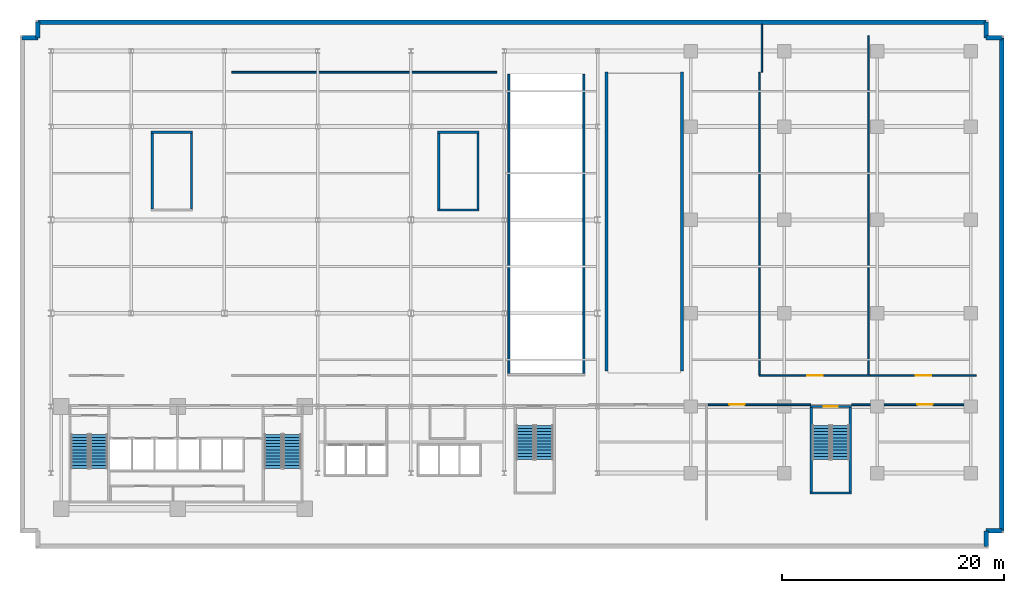
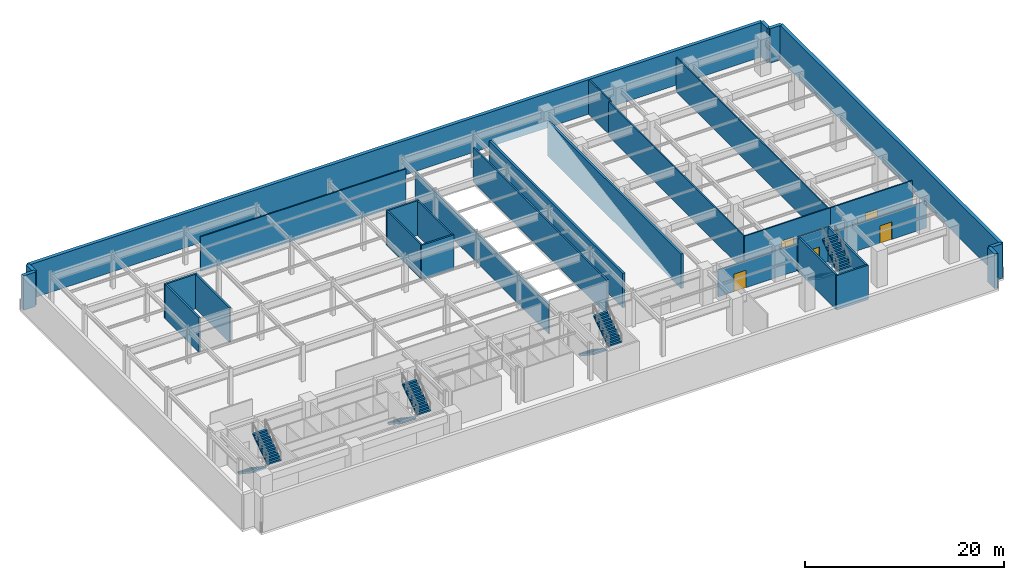
# One storey, part 9 of 14: 31 walls, 8 stair flights, 5 doors, 5 openings, 4 elements without a shape of their own.
"""IFC4 building model written with IfcOpenShell, lengths in metres."""

from ifc_helpers import new_model, si_unit, direction, frame, frame_2d, origin, place, context, subcontext, project, spatial, polyline, rectangle, outline, extrude, material, layer, layer_set, type_object, element, fill, aggregate, save


model = new_model("IFC4")

# Units and contexts
model_context = context("Model", 3, precision=1e-05, world=origin(), true_north=direction((0.0, 1.0)))
body_context = subcontext(model_context, "Body", "Model", "MODEL_VIEW")
ifc_project = project(units=[si_unit("LENGTHUNIT", "METRE"), si_unit("AREAUNIT", "SQUARE_METRE"), si_unit("VOLUMEUNIT", "CUBIC_METRE"), si_unit("PLANEANGLEUNIT", "RADIAN"), si_unit("MASSUNIT", "GRAM", prefix="KILO")], contexts=[model_context])

# Site, building, storey
site_placement = place(None, origin())
site = spatial("IfcSite", under=ifc_project, at=site_placement, CompositionType="ELEMENT")
building_placement = place(site_placement, origin())
building = spatial("IfcBuilding", under=site, at=building_placement, Name="Varnakote Quay Hospital", CompositionType="ELEMENT")
storey_placement = place(building_placement, frame((0.0, 0.0, -4.5)))
storey = spatial("IfcBuildingStorey", under=building, at=storey_placement, Name="B01", CompositionType="ELEMENT", Elevation=-4.5)

# Walls
ifc_material_1 = material(Name="Concrete N40 (f'c 40 MPa)", Category="concrete")
ifc_layer_1 = layer(ifc_material_1, 0.39990234375)
ifc_layer_set_1 = layer_set([ifc_layer_1], Name="Concrete N40 (f'c 40 MPa)")
wall_type_1 = type_object("IfcWallType", Name="WL-BSMT-RET-400", PredefinedType="STANDARD", material=ifc_layer_set_1)
for number, where, z_axis, x_axis, name in (
    (1, (85.39990234375, -0.60009765625, 0.0), (0.0, 0.0, 1.0), (0.0, 1.0, 0.0), "B01 Tanked Basement Retaining Wall"),
    (2, (85.39990234375, 0.800048828125, 0.0), (0.0, 0.0, 1.0), (1.0, 0.0, 0.0), "B01 Tanked Basement Retaining Wall"),
):
    element("IfcWall", number, at=place(storey_placement, frame(where, z_axis=z_axis, x_axis=x_axis)), inside=storey, type_object=wall_type_1, Name=name, PredefinedType="STANDARD", context=body_context, shape_type="SweptSolid", body=[
        extrude(rectangle(XDim=1.400146484375, YDim=0.39990234375, at=frame_2d((0.7001953125, 0.0))), origin(), (0.0, 0.0, 1.0), 4.25),
    ])
wall_1_placement = place(storey_placement, frame((86.800048828125, 0.800048828125, 0.0), z_axis=(0.0, 0.0, 1.0), x_axis=(0.0, 1.0, 0.0)))
element("IfcWall", 3, at=wall_1_placement, inside=storey, type_object=wall_type_1, Name="B01 Tanked Basement Retaining Wall", PredefinedType="STANDARD", context=body_context, shape_type="SweptSolid", body=[
    extrude(rectangle(XDim=44.39990234375, YDim=0.39990234375, at=frame_2d((22.199951171875, 0.0))), origin(), (0.0, 0.0, 1.0), 4.25),
])
for number, where, z_axis, x_axis, name in (
    (4, (86.800048828125, 45.199951171875, 0.0), (0.0, 0.0, 1.0), (-1.0, 0.0, 0.0), "B01 Tanked Basement Retaining Wall"),
    (5, (85.39990234375, 45.199951171875, 0.0), (0.0, 0.0, 1.0), (0.0, 1.0, 0.0), "B01 Tanked Basement Retaining Wall"),
):
    element("IfcWall", number, at=place(storey_placement, frame(where, z_axis=z_axis, x_axis=x_axis)), inside=storey, type_object=wall_type_1, Name=name, PredefinedType="STANDARD", context=body_context, shape_type="SweptSolid", body=[
        extrude(rectangle(XDim=1.400146484375, YDim=0.39990234375, at=frame_2d((0.7001953125, 0.0))), origin(), (0.0, 0.0, 1.0), 4.25),
    ])
wall_2_placement = place(storey_placement, frame((85.39990234375, 46.60009765625, 0.0), z_axis=(0.0, 0.0, 1.0), x_axis=(-1.0, 0.0, 0.0)))
element("IfcWall", 6, at=wall_2_placement, inside=storey, type_object=wall_type_1, Name="B01 Tanked Basement Retaining Wall", PredefinedType="STANDARD", context=body_context, shape_type="SweptSolid", body=[
    extrude(rectangle(XDim=85.39990234375, YDim=0.39990234375, at=frame_2d((42.699951171875, 0.0))), origin(), (0.0, 0.0, 1.0), 4.25),
])
wall_3_placement = place(storey_placement, frame((0.0, 46.60009765625, 0.0), z_axis=(0.0, 0.0, 1.0), x_axis=(0.0, -1.0, 0.0)))
element("IfcWall", 7, at=wall_3_placement, inside=storey, type_object=wall_type_1, Name="B01 Tanked Basement Retaining Wall", PredefinedType="STANDARD", context=body_context, shape_type="SweptSolid", body=[
    extrude(rectangle(XDim=1.400146484375, YDim=0.39990234375, at=frame_2d((0.7001953125, 0.0))), origin(), (0.0, 0.0, 1.0), 4.25),
])
wall_4_placement = place(storey_placement, frame((0.0, 45.199951171875, 0.0), z_axis=(0.0, 0.0, 1.0), x_axis=(-1.0, 0.0, 0.0)))
element("IfcWall", 8, at=wall_4_placement, inside=storey, type_object=wall_type_1, Name="B01 Tanked Basement Retaining Wall", PredefinedType="STANDARD", context=body_context, shape_type="SweptSolid", body=[
    extrude(rectangle(XDim=1.39990234375, YDim=0.39990234375, at=frame_2d((0.699951171875, 0.0))), origin(), (0.0, 0.0, 1.0), 4.25),
])
ifc_material_2 = material(Name="Fire-rated acoustic gypsum stud wall", Category="gypsum")
ifc_layer_2 = layer(ifc_material_2, 0.179931640625)
ifc_layer_set_2 = layer_set([ifc_layer_2], Name="Fire-rated acoustic gypsum stud wall")
wall_type_2 = type_object("IfcWallType", Name="WL-COMP-180", PredefinedType="PARTITIONING", material=ifc_layer_set_2)
wall_5_placement = place(storey_placement, frame((42.419921875, 14.969970703125, 0.0), z_axis=(0.0, 0.0, 1.0), x_axis=(0.0, 1.0, 0.0)))
element("IfcWall", 9, at=wall_5_placement, inside=storey, type_object=wall_type_2, Name="B01 Vehicle Ramp R1 Opening West Wall", PredefinedType="PARTITIONING", context=body_context, shape_type="SweptSolid", body=[
    extrude(rectangle(XDim=26.929931640625, YDim=0.179931640625, at=frame_2d((13.46484375, 0.0))), origin(), (0.0, 0.0, 1.0), 3.623046875),
])
wall_6_placement = place(storey_placement, frame((49.179931640625, 14.969970703125, 0.0), z_axis=(0.0, 0.0, 1.0), x_axis=(0.0, 1.0, 0.0)))
element("IfcWall", 10, at=wall_6_placement, inside=storey, type_object=wall_type_2, Name="B01 Vehicle Ramp R1 Opening East Wall", PredefinedType="PARTITIONING", context=body_context, shape_type="SweptSolid", body=[
    extrude(rectangle(XDim=26.929931640625, YDim=0.179931640625, at=frame_2d((13.46484375, 0.0))), origin(), (0.0, 0.0, 1.0), 4.25),
])
ifc_material_3 = material(Name="Concrete N50 (f'c 50 MPa)", Category="concrete")
ifc_layer_3 = layer(ifc_material_3, 0.199951171875)
ifc_layer_set_3 = layer_set([ifc_layer_3], Name="Concrete N50 (f'c 50 MPa)")
wall_type_3 = type_object("IfcWallType", Name="WL-SHAFT-N50-200", PredefinedType="SHEAR", material=ifc_layer_set_3)
wall_7_placement = place(storey_placement, frame((69.550048828125, 4.199951171875, 0.0), z_axis=(0.0, 0.0, 1.0), x_axis=(1.0, 0.0, 0.0)))
element("IfcWall", 11, at=wall_7_placement, inside=storey, type_object=wall_type_3, Name="B01 Stair ST6 South Shaft Wall", PredefinedType="SHEAR", context=body_context, shape_type="SweptSolid", body=[
    extrude(rectangle(XDim=3.699951171875, YDim=0.199951171875, at=frame_2d((1.85009765625, 0.0))), origin(), (0.0, 0.0, 1.0), 4.25),
])
for number, where, z_axis, x_axis, name in (
    (12, (69.64990234375, 4.300048828125, 0.0), (0.0, 0.0, 1.0), (0.0, 1.0, 0.0), "B01 Stair ST6 West Shaft Wall"),
    (13, (73.14990234375, 4.300048828125, 0.0), (0.0, 0.0, 1.0), (0.0, 1.0, 0.0), "B01 Stair ST6 East Shaft Wall"),
):
    element("IfcWall", number, at=place(storey_placement, frame(where, z_axis=z_axis, x_axis=x_axis)), inside=storey, type_object=wall_type_3, Name=name, PredefinedType="SHEAR", context=body_context, shape_type="SweptSolid", body=[
        extrude(rectangle(XDim=7.599853515625, YDim=0.199951171875, at=frame_2d((3.7998046875, 0.0))), origin(), (0.0, 0.0, 1.0), 4.25),
    ])

# Wall, opening, door
wall_8_placement = place(storey_placement, frame((69.550048828125, 12.0, 0.0), z_axis=(0.0, 0.0, 1.0), x_axis=(1.0, 0.0, 0.0)))
wall_8 = element("IfcWall", 14, at=wall_8_placement, inside=storey, type_object=wall_type_3, Name="B01 Stair ST6 Exit Wall", PredefinedType="SHEAR", context=body_context, shape_type="SweptSolid", body=[
    extrude(rectangle(XDim=3.699951171875, YDim=0.199951171875, at=frame_2d((1.85009765625, 0.0))), origin(), (0.0, 0.0, 1.0), 4.25),
])
opening_1_placement = place(wall_8_placement, frame((1.199951171875, 0.0, 0.0)))
opening_1 = element("IfcOpeningElement", 15, at=opening_1_placement, cuts=wall_8, Name="Opening D-ST6-B01", PredefinedType="OPENING", context=body_context, shape_type="SweptSolid", body=[
    extrude(rectangle(XDim=1.300048828125, YDim=2.14990234375, at=frame_2d((0.64990234375, 1.074951171875))), frame((0.0, 0.10986328125, 0.0), z_axis=(0.0, -1.0, 0.0), x_axis=(1.0, 0.0, 0.0)), (0.0, 0.0, 1.0), 0.219970703125),
])
ifc_material_4 = material(Name="Fire-rated ceramic-glazed timber exit door", Category="wood")
door_type_1 = type_object("IfcDoorType", Name="DR-STAIR-FD60S-1300x2150", OperationType="NOTDEFINED", PredefinedType="DOOR", material=ifc_material_4)
door_1_placement = place(opening_1_placement, origin())
door_1 = element("IfcDoor", 16, at=door_1_placement, inside=storey, type_object=door_type_1, Name="B01 Stair ST6 Fire Exit Door", OperationType="SINGLE_SWING_LEFT", OverallHeight=2.14990234375, OverallWidth=1.300048828125, PredefinedType="DOOR", context=body_context, shape_type="SweptSolid", body=[
    extrude(rectangle(XDim=1.300048828125, YDim=2.14990234375, at=frame_2d((0.64990234375, 1.074951171875))), frame((0.0, 0.02490234375, 0.0), z_axis=(0.0, -1.0, 0.0), x_axis=(1.0, 0.0, 0.0)), (0.0, 0.0, 1.0), 0.050048828125),
])
fill(opening_1, door_1)

# Walls
for number, where, z_axis, x_axis, name in (
    (17, (10.300048828125, 29.800048828125, 0.0), (0.0, 0.0, 1.0), (0.0, 1.0, 0.0), "B01 Stair ST4 West Shaft Wall"),
    (18, (13.840087890625, 29.800048828125, 0.0), (0.0, 0.0, 1.0), (0.0, 1.0, 0.0), "B01 Stair ST4 East Shaft Wall"),
):
    element("IfcWall", number, at=place(storey_placement, frame(where, z_axis=z_axis, x_axis=x_axis)), inside=storey, type_object=wall_type_3, Name=name, PredefinedType="SHEAR", context=body_context, shape_type="SweptSolid", body=[
        extrude(rectangle(XDim=6.800048828125, YDim=0.199951171875, at=frame_2d((3.39990234375, 0.0))), origin(), (0.0, 0.0, 1.0), 4.25),
    ])
for number, where, z_axis, x_axis, name in (
    (19, (10.199951171875, 36.699951171875, 0.0), (0.0, 0.0, 1.0), (1.0, 0.0, 0.0), "B01 Stair ST4 Exit Wall"),
    (20, (36.0, 29.699951171875, 0.0), (0.0, 0.0, 1.0), (1.0, 0.0, 0.0), "B01 Stair ST5 South Shaft Wall"),
):
    element("IfcWall", number, at=place(storey_placement, frame(where, z_axis=z_axis, x_axis=x_axis)), inside=storey, type_object=wall_type_3, Name=name, PredefinedType="SHEAR", context=body_context, shape_type="SweptSolid", body=[
        extrude(rectangle(XDim=3.739990234375, YDim=0.199951171875, at=frame_2d((1.8701171875, 0.0))), origin(), (0.0, 0.0, 1.0), 4.25),
    ])
for number, where, z_axis, x_axis, name in (
    (21, (36.10009765625, 29.800048828125, 0.0), (0.0, 0.0, 1.0), (0.0, 1.0, 0.0), "B01 Stair ST5 West Shaft Wall"),
    (22, (39.639892578125, 29.800048828125, 0.0), (0.0, 0.0, 1.0), (0.0, 1.0, 0.0), "B01 Stair ST5 East Shaft Wall"),
):
    element("IfcWall", number, at=place(storey_placement, frame(where, z_axis=z_axis, x_axis=x_axis)), inside=storey, type_object=wall_type_3, Name=name, PredefinedType="SHEAR", context=body_context, shape_type="SweptSolid", body=[
        extrude(rectangle(XDim=6.800048828125, YDim=0.199951171875, at=frame_2d((3.39990234375, 0.0))), origin(), (0.0, 0.0, 1.0), 4.25),
    ])
wall_9_placement = place(storey_placement, frame((36.0, 36.699951171875, 0.0), z_axis=(0.0, 0.0, 1.0), x_axis=(1.0, 0.0, 0.0)))
element("IfcWall", 23, at=wall_9_placement, inside=storey, type_object=wall_type_3, Name="B01 Stair ST5 Exit Wall", PredefinedType="SHEAR", context=body_context, shape_type="SweptSolid", body=[
    extrude(rectangle(XDim=3.739990234375, YDim=0.199951171875, at=frame_2d((1.8701171875, 0.0))), origin(), (0.0, 0.0, 1.0), 4.25),
])
ifc_material_5 = material(Name="Concrete N50 (f'c 50 MPa)", Category="concrete")
ifc_layer_4 = layer(ifc_material_5, 0.25)
ifc_layer_set_4 = layer_set([ifc_layer_4], Name="Concrete N50 (f'c 50 MPa)")
wall_type_4 = type_object("IfcWallType", Name="WL-SHAFT-N50-250", PredefinedType="SHEAR", material=ifc_layer_set_4)
for number, where, z_axis, x_axis, name in (
    (24, (51.199951171875, 15.199951171875, 0.0), (0.0, 0.0, 1.0), (0.0, 1.0, 0.0), "B01 Vehicle Ramp R2 West Bearing Wall"),
    (25, (58.0, 15.199951171875, 0.0), (0.0, 0.0, 1.0), (0.0, 1.0, 0.0), "B01 Vehicle Ramp R2 East Bearing Wall"),
):
    element("IfcWall", number, at=place(storey_placement, frame(where, z_axis=z_axis, x_axis=x_axis)), inside=storey, type_object=wall_type_4, Name=name, PredefinedType="SHEAR", context=body_context, shape_type="SweptSolid", body=[
        extrude(rectangle(XDim=26.900146484375, YDim=0.25, at=frame_2d((13.4501953125, 0.0))), origin(), (0.0, 0.0, 1.0), 4.25),
    ])
ifc_material_6 = material(Name="Smoke-proof clinical partition", Category="gypsum")
ifc_layer_5 = layer(ifc_material_6, 0.135009765625)
ifc_layer_set_5 = layer_set([ifc_layer_5], Name="Smoke-proof clinical partition")
wall_type_5 = type_object("IfcWallType", Name="WL-SMOKE-135", PredefinedType="PARTITIONING", material=ifc_layer_set_5)
wall_10_placement = place(storey_placement, frame((74.800048828125, 14.864990234375, 0.0), z_axis=(0.0, 0.0, 1.0), x_axis=(0.0, 1.0, 0.0)))
element("IfcWall", 26, at=wall_10_placement, inside=storey, type_object=wall_type_5, Name="B01 Clinical Interior Partition", PredefinedType="PARTITIONING", context=body_context, shape_type="SweptSolid", body=[
    extrude(rectangle(XDim=30.534912109375, YDim=0.135009765625, at=frame_2d((15.267578125, 0.0))), origin(), (0.0, 0.0, 1.0), 4.25),
])

# Wall, opening, door
ifc_material_7 = material(Name="Fire-rated clinical gypsum partition", Category="gypsum")
ifc_layer_6 = layer(ifc_material_7, 0.14990234375)
ifc_layer_set_6 = layer_set([ifc_layer_6], Name="Fire-rated clinical gypsum partition")
wall_type_6 = type_object("IfcWallType", Name="WL-WARD-150", PredefinedType="PARTITIONING", material=ifc_layer_set_6)
wall_11_placement = place(storey_placement, frame((60.380615234375, 12.159912109375, 0.0), z_axis=(0.0, 0.0, 1.0), x_axis=(1.0, 0.0, 0.0)))
wall_11 = element("IfcWall", 27, at=wall_11_placement, inside=storey, type_object=wall_type_6, Name="B01 Clinical Interior Partition", PredefinedType="PARTITIONING", context=body_context, shape_type="SweptSolid", body=[
    extrude(rectangle(XDim=9.197998046875, YDim=0.14990234375, at=frame_2d((4.59912109375, 0.0))), origin(), (0.0, 0.0, 1.0), 3.31494140625),
])
opening_2_placement = place(wall_11_placement, frame((1.864501953125, 0.0, 0.0)))
opening_2 = element("IfcOpeningElement", 28, at=opening_2_placement, cuts=wall_11, Name="Opening D-B01-MORT", PredefinedType="OPENING", context=body_context, shape_type="SweptSolid", body=[
    extrude(rectangle(XDim=1.39990234375, YDim=2.14990234375, at=frame_2d((0.699951171875, 1.074951171875))), frame((0.0, 0.0849609375, 0.0), z_axis=(0.0, -1.0, 0.0), x_axis=(1.0, 0.0, 0.0)), (0.0, 0.0, 1.0), 0.169921875),
])
ifc_material_8 = material(Name="Fire-rated acoustic plant room door")
door_type_2 = type_object("IfcDoorType", Name="DR-PLANT-FD60-1400x2150", OperationType="NOTDEFINED", PredefinedType="DOOR", material=ifc_material_8)
door_2_placement = place(opening_2_placement, origin())
door_2 = element("IfcDoor", 29, at=door_2_placement, inside=storey, type_object=door_type_2, Name="B01 Clinical Mortuary & Specimen Store Door", OperationType="SINGLE_SWING_LEFT", OverallHeight=2.14990234375, OverallWidth=1.39990234375, PredefinedType="DOOR", context=body_context, shape_type="SweptSolid", body=[
    extrude(rectangle(XDim=1.39990234375, YDim=2.14990234375, at=frame_2d((0.699951171875, 1.074951171875))), frame((0.0, 0.02490234375, 0.0), z_axis=(0.0, -1.0, 0.0), x_axis=(1.0, 0.0, 0.0)), (0.0, 0.0, 1.0), 0.050048828125),
])
fill(opening_2, door_2)

wall_12_placement = place(storey_placement, frame((73.271484375, 12.159912109375, 0.0), z_axis=(0.0, 0.0, 1.0), x_axis=(1.0, 0.0, 0.0)))
wall_12 = element("IfcWall", 30, at=wall_12_placement, inside=storey, type_object=wall_type_6, Name="B01 Clinical Interior Partition", PredefinedType="PARTITIONING", context=body_context, shape_type="SweptSolid", body=[
    extrude(rectangle(XDim=11.32861328125, YDim=0.14990234375, at=frame_2d((5.664306640625, 0.0))), origin(), (0.0, 0.0, 1.0), 3.31494140625),
])
opening_3_placement = place(wall_12_placement, frame((5.9169921875, 0.0, 0.0)))
opening_3 = element("IfcOpeningElement", 31, at=opening_3_placement, cuts=wall_12, Name="Opening D-B01-ELIN", PredefinedType="OPENING", context=body_context, shape_type="SweptSolid", body=[
    extrude(rectangle(XDim=1.39990234375, YDim=2.14990234375, at=frame_2d((0.699951171875, 1.074951171875))), frame((0.0, 0.0849609375, 0.0), z_axis=(0.0, -1.0, 0.0), x_axis=(1.0, 0.0, 0.0)), (0.0, 0.0, 1.0), 0.169921875),
])
door_3_placement = place(opening_3_placement, origin())
door_3 = element("IfcDoor", 32, at=door_3_placement, inside=storey, type_object=door_type_2, Name="B01 Automated Linen & Biomedical Dispatch Store Door", OperationType="SINGLE_SWING_RIGHT", OverallHeight=2.14990234375, OverallWidth=1.39990234375, PredefinedType="DOOR", context=body_context, shape_type="SweptSolid", body=[
    extrude(rectangle(XDim=1.39990234375, YDim=2.14990234375, at=frame_2d((0.699951171875, 1.074951171875))), frame((0.0, 0.02490234375, 0.0), z_axis=(0.0, -1.0, 0.0), x_axis=(1.0, 0.0, 0.0)), (0.0, 0.0, 1.0), 0.050048828125),
])
fill(opening_3, door_3)

wall_13_placement = place(storey_placement, frame((74.99462890625, 14.800048828125, 0.0), z_axis=(0.0, 0.0, 1.0), x_axis=(-1.0, 0.0, 0.0)))
wall_13 = element("IfcWall", 33, at=wall_13_placement, inside=storey, type_object=wall_type_6, Name="B01 Clinical Interior Partition", PredefinedType="PARTITIONING", context=body_context, shape_type="SweptSolid", body=[
    extrude(rectangle(XDim=10.039306640625, YDim=0.14990234375, at=frame_2d((5.01953125, 0.0))), origin(), (0.0, 0.0, 1.0), 4.25),
])
opening_4_placement = place(wall_13_placement, frame((4.319580078125, 0.0, 0.0)))
opening_4 = element("IfcOpeningElement", 34, at=opening_4_placement, cuts=wall_13, Name="Opening D-B01-LOAD", PredefinedType="OPENING", context=body_context, shape_type="SweptSolid", body=[
    extrude(rectangle(XDim=1.39990234375, YDim=2.14990234375, at=frame_2d((0.699951171875, 1.074951171875))), frame((0.0, 0.0849609375, 0.0), z_axis=(0.0, -1.0, 0.0), x_axis=(1.0, 0.0, 0.0)), (0.0, 0.0, 1.0), 0.169921875),
])
door_4_placement = place(opening_4_placement, origin())
door_4 = element("IfcDoor", 35, at=door_4_placement, inside=storey, type_object=door_type_2, Name="B01 HRV Clinical Supply Loading Dock Store Door", OperationType="SINGLE_SWING_LEFT", OverallHeight=2.14990234375, OverallWidth=1.39990234375, PredefinedType="DOOR", context=body_context, shape_type="SweptSolid", body=[
    extrude(rectangle(XDim=1.39990234375, YDim=2.14990234375, at=frame_2d((0.699951171875, 1.074951171875))), frame((0.0, 0.02490234375, 0.0), z_axis=(0.0, -1.0, 0.0), x_axis=(1.0, 0.0, 0.0)), (0.0, 0.0, 1.0), 0.050048828125),
])
fill(opening_4, door_4)

wall_14_placement = place(storey_placement, frame((84.5, 14.800048828125, 0.0), z_axis=(0.0, 0.0, 1.0), x_axis=(-1.0, 0.0, 0.0)))
wall_14 = element("IfcWall", 36, at=wall_14_placement, inside=storey, type_object=wall_type_6, Name="B01 Clinical Interior Partition", PredefinedType="PARTITIONING", context=body_context, shape_type="SweptSolid", body=[
    extrude(rectangle(XDim=9.50341796875, YDim=0.14990234375, at=frame_2d((4.751708984375, 0.0))), origin(), (0.0, 0.0, 1.0), 4.25),
])
opening_5_placement = place(wall_14_placement, frame((4.0517578125, 0.0, 0.0)))
opening_5 = element("IfcOpeningElement", 37, at=opening_5_placement, cuts=wall_14, Name="Opening D-B01-EWST", PredefinedType="OPENING", context=body_context, shape_type="SweptSolid", body=[
    extrude(rectangle(XDim=1.39990234375, YDim=2.14990234375, at=frame_2d((0.699951171875, 1.074951171875))), frame((0.0, 0.0849609375, 0.0), z_axis=(0.0, -1.0, 0.0), x_axis=(1.0, 0.0, 0.0)), (0.0, 0.0, 1.0), 0.169921875),
])
door_5_placement = place(opening_5_placement, origin())
door_5 = element("IfcDoor", 38, at=door_5_placement, inside=storey, type_object=door_type_2, Name="B01 Clinical Sterile Logistics & Equipment Store Door", OperationType="SINGLE_SWING_RIGHT", OverallHeight=2.14990234375, OverallWidth=1.39990234375, PredefinedType="DOOR", context=body_context, shape_type="SweptSolid", body=[
    extrude(rectangle(XDim=1.39990234375, YDim=2.14990234375, at=frame_2d((0.699951171875, 1.074951171875))), frame((0.0, 0.02490234375, 0.0), z_axis=(0.0, -1.0, 0.0), x_axis=(1.0, 0.0, 0.0)), (0.0, 0.0, 1.0), 0.050048828125),
])
fill(opening_5, door_5)

# Walls
wall_15_placement = place(storey_placement, frame((17.462890625, 42.10009765625, 0.0), z_axis=(0.0, 0.0, 1.0), x_axis=(1.0, 0.0, 0.0)))
element("IfcWall", 39, at=wall_15_placement, inside=storey, type_object=wall_type_6, Name="B01 Clinical Interior Partition", PredefinedType="PARTITIONING", context=body_context, shape_type="SweptSolid", body=[
    extrude(rectangle(XDim=23.874267578125, YDim=0.14990234375, at=frame_2d((11.93701171875, 0.0))), origin(), (0.0, 0.0, 1.0), 4.25),
])
wall_16_placement = place(storey_placement, frame((65.199951171875, 42.10009765625, 0.0), z_axis=(0.0, 0.0, 1.0), x_axis=(0.0, 1.0, 0.0)))
element("IfcWall", 40, at=wall_16_placement, inside=storey, type_object=wall_type_6, Name="B01 Clinical Interior Partition", PredefinedType="PARTITIONING", context=body_context, shape_type="SweptSolid", body=[
    extrude(rectangle(XDim=4.309814453125, YDim=0.14990234375, at=frame_2d((2.15478515625, 0.0))), origin(), (0.0, 0.0, 1.0), 4.25),
])
wall_17_placement = place(storey_placement, frame((65.0, 14.820068359375, 0.0), z_axis=(0.0, 0.0, 1.0), x_axis=(0.0, 1.0, 0.0)))
element("IfcWall", 41, at=wall_17_placement, inside=storey, type_object=wall_type_6, Name="B01 Clinical Interior Partition", PredefinedType="PARTITIONING", context=body_context, shape_type="SweptSolid", body=[
    extrude(rectangle(XDim=27.260009765625, YDim=0.14990234375, at=frame_2d((13.6298828125, 0.0))), origin(), (0.0, 0.0, 1.0), 4.25),
])

# Stair, stair flights
ifc_material_9 = material(Name="Concrete N40 (f'c 40 MPa)", Category="concrete")
stair_type = type_object("IfcStairType", Name="STR-CORE-1580", PredefinedType="HALF_TURN_STAIR", material=ifc_material_9)
stair_1_placement = place(storey_placement, origin())
stair_1 = element("IfcStair", 42, at=stair_1_placement, inside=storey, type_object=stair_type, Name="B01 Fire-Isolated Exit Stair ST-01", PredefinedType="HALF_TURN_STAIR")
ifc_material_10 = material(Name="Concrete N40 (f'c 40 MPa)", Category="concrete")
ifc_layer_7 = layer(ifc_material_10, 0.159912109375)
ifc_layer_set_7 = layer_set([ifc_layer_7], Name="Concrete N40 (f'c 40 MPa)")
stair_flight_type = type_object("IfcStairFlightType", Name="FLT-CORE-1580", PredefinedType="STRAIGHT", material=ifc_layer_set_7)
stair_flight_1_placement = place(storey_placement, frame((3.7900390625, 9.5, 0.0), z_axis=(0.0, 0.0, 1.0), x_axis=(0.0, -1.0, 0.0)))
stair_flight_1 = element("IfcStairFlight", 43, at=stair_flight_1_placement, type_object=stair_flight_type, Name="ST-01 flight 1", NumberOfRisers=12, NumberOfTreads=11, PredefinedType="STRAIGHT", RiserHeight=0.1875, TreadLength=0.28, context=body_context, shape_type="SweptSolid", body=[
    extrude(outline(polyline([(0.0, 0.0), (0.0, 0.1875), (0.280029296875, 0.1875), (0.280029296875, 0.375), (0.56005859375, 0.375), (0.56005859375, 0.5625), (0.840087890625, 0.5625), (0.840087890625, 0.75), (1.1201171875, 0.75), (1.1201171875, 0.9375), (1.39990234375, 0.9375), (1.39990234375, 1.125), (1.679931640625, 1.125), (1.679931640625, 1.3125), (1.9599609375, 1.3125), (1.9599609375, 1.5), (2.239990234375, 1.5), (2.239990234375, 1.6875), (2.52001953125, 1.6875), (2.52001953125, 1.875), (2.800048828125, 1.875), (2.800048828125, 2.0625), (3.080078125, 2.0625), (3.080078125, 2.25), (3.080078125, 1.8701171875), (0.287353515625, 0.0), (0.0, 0.0)])), frame((0.0, 0.7900390625, 0.0), z_axis=(0.0, -1.0, 0.0), x_axis=(1.0, 0.0, 0.0)), (0.0, 0.0, 1.0), 1.580078125),
])
stair_flight_2_placement = place(storey_placement, frame((5.510009765625, 6.419921875, 2.25), z_axis=(0.0, 0.0, 1.0), x_axis=(0.0, 1.0, 0.0)))
stair_flight_2 = element("IfcStairFlight", 44, at=stair_flight_2_placement, type_object=stair_flight_type, Name="ST-01 flight 2", NumberOfRisers=12, NumberOfTreads=11, PredefinedType="STRAIGHT", RiserHeight=0.1875, TreadLength=0.28, context=body_context, shape_type="SweptSolid", body=[
    extrude(outline(polyline([(0.0, 0.0), (0.0, 0.1875), (0.280029296875, 0.1875), (0.280029296875, 0.375), (0.56005859375, 0.375), (0.56005859375, 0.5625), (0.840087890625, 0.5625), (0.840087890625, 0.75), (1.1201171875, 0.75), (1.1201171875, 0.9375), (1.39990234375, 0.9375), (1.39990234375, 1.125), (1.679931640625, 1.125), (1.679931640625, 1.3125), (1.9599609375, 1.3125), (1.9599609375, 1.5), (2.239990234375, 1.5), (2.239990234375, 1.6875), (2.52001953125, 1.6875), (2.52001953125, 1.875), (2.800048828125, 1.875), (2.800048828125, 2.0625), (3.080078125, 2.0625), (3.080078125, 2.25), (3.080078125, 1.8701171875), (0.287353515625, 0.0), (0.0, 0.0)])), frame((0.0, 0.7900390625, 0.0), z_axis=(0.0, -1.0, 0.0), x_axis=(1.0, 0.0, 0.0)), (0.0, 0.0, 1.0), 1.580078125),
])
aggregate(stair_1, [stair_flight_1, stair_flight_2])

stair_2_placement = place(storey_placement, origin())
stair_2 = element("IfcStair", 45, at=stair_2_placement, inside=storey, type_object=stair_type, Name="B01 Fire-Isolated Exit Stair ST-02", PredefinedType="HALF_TURN_STAIR")
stair_flight_3_placement = place(storey_placement, frame((21.18994140625, 9.5, 0.0), z_axis=(0.0, 0.0, 1.0), x_axis=(0.0, -1.0, 0.0)))
stair_flight_3 = element("IfcStairFlight", 46, at=stair_flight_3_placement, type_object=stair_flight_type, Name="ST-02 flight 1", NumberOfRisers=12, NumberOfTreads=11, PredefinedType="STRAIGHT", RiserHeight=0.1875, TreadLength=0.28, context=body_context, shape_type="SweptSolid", body=[
    extrude(outline(polyline([(0.0, 0.0), (0.0, 0.1875), (0.280029296875, 0.1875), (0.280029296875, 0.375), (0.56005859375, 0.375), (0.56005859375, 0.5625), (0.840087890625, 0.5625), (0.840087890625, 0.75), (1.1201171875, 0.75), (1.1201171875, 0.9375), (1.39990234375, 0.9375), (1.39990234375, 1.125), (1.679931640625, 1.125), (1.679931640625, 1.3125), (1.9599609375, 1.3125), (1.9599609375, 1.5), (2.239990234375, 1.5), (2.239990234375, 1.6875), (2.52001953125, 1.6875), (2.52001953125, 1.875), (2.800048828125, 1.875), (2.800048828125, 2.0625), (3.080078125, 2.0625), (3.080078125, 2.25), (3.080078125, 1.8701171875), (0.287353515625, 0.0), (0.0, 0.0)])), frame((0.0, 0.7900390625, 0.0), z_axis=(0.0, -1.0, 0.0), x_axis=(1.0, 0.0, 0.0)), (0.0, 0.0, 1.0), 1.580078125),
])
stair_flight_4_placement = place(storey_placement, frame((22.909912109375, 6.419921875, 2.25), z_axis=(0.0, 0.0, 1.0), x_axis=(0.0, 1.0, 0.0)))
stair_flight_4 = element("IfcStairFlight", 47, at=stair_flight_4_placement, type_object=stair_flight_type, Name="ST-02 flight 2", NumberOfRisers=12, NumberOfTreads=11, PredefinedType="STRAIGHT", RiserHeight=0.1875, TreadLength=0.28, context=body_context, shape_type="SweptSolid", body=[
    extrude(outline(polyline([(0.0, 0.0), (0.0, 0.1875), (0.280029296875, 0.1875), (0.280029296875, 0.375), (0.56005859375, 0.375), (0.56005859375, 0.5625), (0.840087890625, 0.5625), (0.840087890625, 0.75), (1.1201171875, 0.75), (1.1201171875, 0.9375), (1.39990234375, 0.9375), (1.39990234375, 1.125), (1.679931640625, 1.125), (1.679931640625, 1.3125), (1.9599609375, 1.3125), (1.9599609375, 1.5), (2.239990234375, 1.5), (2.239990234375, 1.6875), (2.52001953125, 1.6875), (2.52001953125, 1.875), (2.800048828125, 1.875), (2.800048828125, 2.0625), (3.080078125, 2.0625), (3.080078125, 2.25), (3.080078125, 1.8701171875), (0.287353515625, 0.0), (0.0, 0.0)])), frame((0.0, 0.7900390625, 0.0), z_axis=(0.0, -1.0, 0.0), x_axis=(1.0, 0.0, 0.0)), (0.0, 0.0, 1.0), 1.580078125),
])
aggregate(stair_2, [stair_flight_3, stair_flight_4])

stair_3_placement = place(storey_placement, origin())
stair_3 = element("IfcStair", 48, at=stair_3_placement, inside=storey, type_object=stair_type, Name="B01 Fire-Isolated Exit Stair ST-03", PredefinedType="HALF_TURN_STAIR")
stair_flight_5_placement = place(storey_placement, frame((43.889892578125, 10.300048828125, 0.0), z_axis=(0.0, 0.0, 1.0), x_axis=(0.0, -1.0, 0.0)))
stair_flight_5 = element("IfcStairFlight", 49, at=stair_flight_5_placement, type_object=stair_flight_type, Name="ST-03 flight 1", NumberOfRisers=12, NumberOfTreads=11, PredefinedType="STRAIGHT", RiserHeight=0.1875, TreadLength=0.28, context=body_context, shape_type="SweptSolid", body=[
    extrude(outline(polyline([(0.0, 0.0), (0.0, 0.1875), (0.280029296875, 0.1875), (0.280029296875, 0.375), (0.56005859375, 0.375), (0.56005859375, 0.5625), (0.840087890625, 0.5625), (0.840087890625, 0.75), (1.1201171875, 0.75), (1.1201171875, 0.9375), (1.39990234375, 0.9375), (1.39990234375, 1.125), (1.679931640625, 1.125), (1.679931640625, 1.3125), (1.9599609375, 1.3125), (1.9599609375, 1.5), (2.239990234375, 1.5), (2.239990234375, 1.6875), (2.52001953125, 1.6875), (2.52001953125, 1.875), (2.800048828125, 1.875), (2.800048828125, 2.0625), (3.080078125, 2.0625), (3.080078125, 2.25), (3.080078125, 1.8701171875), (0.287353515625, 0.0), (0.0, 0.0)])), frame((0.0, 0.7900390625, 0.0), z_axis=(0.0, -1.0, 0.0), x_axis=(1.0, 0.0, 0.0)), (0.0, 0.0, 1.0), 1.580078125),
])
stair_flight_6_placement = place(storey_placement, frame((45.610107421875, 7.219970703125, 2.25), z_axis=(0.0, 0.0, 1.0), x_axis=(0.0, 1.0, 0.0)))
stair_flight_6 = element("IfcStairFlight", 50, at=stair_flight_6_placement, type_object=stair_flight_type, Name="ST-03 flight 2", NumberOfRisers=12, NumberOfTreads=11, PredefinedType="STRAIGHT", RiserHeight=0.1875, TreadLength=0.28, context=body_context, shape_type="SweptSolid", body=[
    extrude(outline(polyline([(0.0, 0.0), (0.0, 0.1875), (0.280029296875, 0.1875), (0.280029296875, 0.375), (0.56005859375, 0.375), (0.56005859375, 0.5625), (0.840087890625, 0.5625), (0.840087890625, 0.75), (1.1201171875, 0.75), (1.1201171875, 0.9375), (1.39990234375, 0.9375), (1.39990234375, 1.125), (1.679931640625, 1.125), (1.679931640625, 1.3125), (1.9599609375, 1.3125), (1.9599609375, 1.5), (2.239990234375, 1.5), (2.239990234375, 1.6875), (2.52001953125, 1.6875), (2.52001953125, 1.875), (2.800048828125, 1.875), (2.800048828125, 2.0625), (3.080078125, 2.0625), (3.080078125, 2.25), (3.080078125, 1.8701171875), (0.287353515625, 0.0), (0.0, 0.0)])), frame((0.0, 0.7900390625, 0.0), z_axis=(0.0, -1.0, 0.0), x_axis=(1.0, 0.0, 0.0)), (0.0, 0.0, 1.0), 1.580078125),
])
aggregate(stair_3, [stair_flight_5, stair_flight_6])

stair_4_placement = place(storey_placement, origin())
stair_4 = element("IfcStair", 51, at=stair_4_placement, inside=storey, type_object=stair_type, Name="B01 East Podium Fire-Isolated Exit Stair ST-06", PredefinedType="HALF_TURN_STAIR")
stair_flight_7_placement = place(storey_placement, frame((70.5400390625, 10.300048828125, 0.0), z_axis=(0.0, 0.0, 1.0), x_axis=(0.0, -1.0, 0.0)))
stair_flight_7 = element("IfcStairFlight", 52, at=stair_flight_7_placement, type_object=stair_flight_type, Name="ST-06 flight 1", NumberOfRisers=12, NumberOfTreads=11, PredefinedType="STRAIGHT", RiserHeight=0.1875, TreadLength=0.28, context=body_context, shape_type="SweptSolid", body=[
    extrude(outline(polyline([(0.0, 0.0), (0.0, 0.1875), (0.280029296875, 0.1875), (0.280029296875, 0.375), (0.56005859375, 0.375), (0.56005859375, 0.5625), (0.840087890625, 0.5625), (0.840087890625, 0.75), (1.1201171875, 0.75), (1.1201171875, 0.9375), (1.39990234375, 0.9375), (1.39990234375, 1.125), (1.679931640625, 1.125), (1.679931640625, 1.3125), (1.9599609375, 1.3125), (1.9599609375, 1.5), (2.239990234375, 1.5), (2.239990234375, 1.6875), (2.52001953125, 1.6875), (2.52001953125, 1.875), (2.800048828125, 1.875), (2.800048828125, 2.0625), (3.080078125, 2.0625), (3.080078125, 2.25), (3.080078125, 1.8701171875), (0.287353515625, 0.0), (0.0, 0.0)])), frame((0.0, 0.7900390625, 0.0), z_axis=(0.0, -1.0, 0.0), x_axis=(1.0, 0.0, 0.0)), (0.0, 0.0, 1.0), 1.580078125),
])
stair_flight_8_placement = place(storey_placement, frame((72.260009765625, 7.219970703125, 2.25), z_axis=(0.0, 0.0, 1.0), x_axis=(0.0, 1.0, 0.0)))
stair_flight_8 = element("IfcStairFlight", 53, at=stair_flight_8_placement, type_object=stair_flight_type, Name="ST-06 flight 2", NumberOfRisers=12, NumberOfTreads=11, PredefinedType="STRAIGHT", RiserHeight=0.1875, TreadLength=0.28, context=body_context, shape_type="SweptSolid", body=[
    extrude(outline(polyline([(0.0, 0.0), (0.0, 0.1875), (0.280029296875, 0.1875), (0.280029296875, 0.375), (0.56005859375, 0.375), (0.56005859375, 0.5625), (0.840087890625, 0.5625), (0.840087890625, 0.75), (1.1201171875, 0.75), (1.1201171875, 0.9375), (1.39990234375, 0.9375), (1.39990234375, 1.125), (1.679931640625, 1.125), (1.679931640625, 1.3125), (1.9599609375, 1.3125), (1.9599609375, 1.5), (2.239990234375, 1.5), (2.239990234375, 1.6875), (2.52001953125, 1.6875), (2.52001953125, 1.875), (2.800048828125, 1.875), (2.800048828125, 2.0625), (3.080078125, 2.0625), (3.080078125, 2.25), (3.080078125, 1.8701171875), (0.287353515625, 0.0), (0.0, 0.0)])), frame((0.0, 0.7900390625, 0.0), z_axis=(0.0, -1.0, 0.0), x_axis=(1.0, 0.0, 0.0)), (0.0, 0.0, 1.0), 1.580078125),
])
aggregate(stair_4, [stair_flight_7, stair_flight_8])

save(model, "model.ifc")
